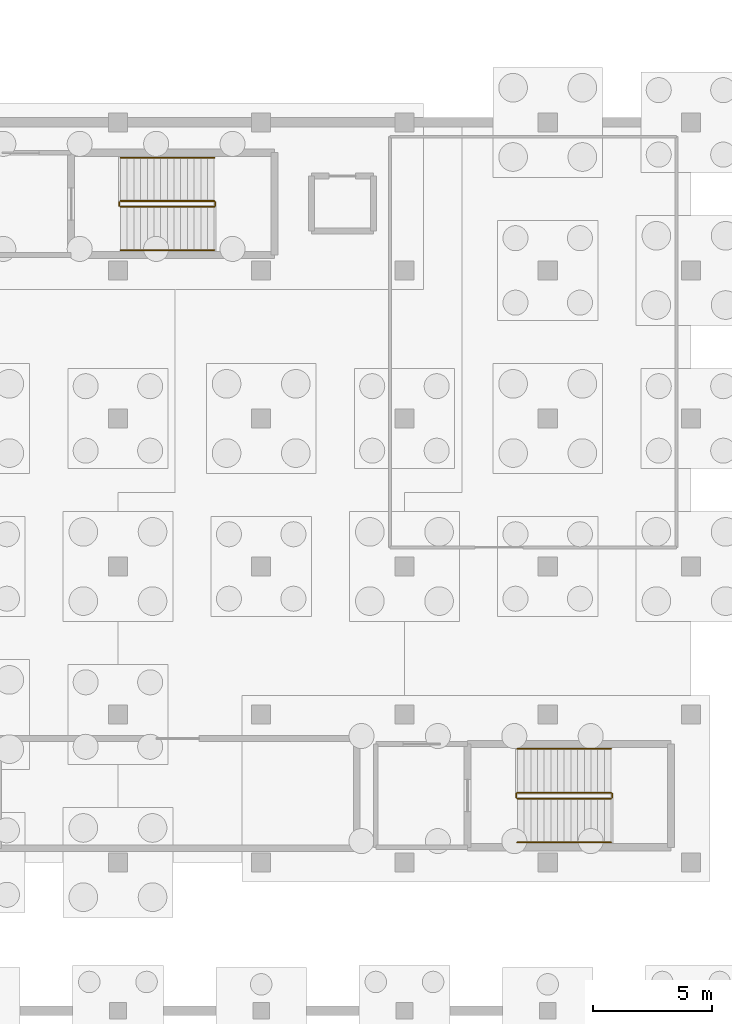
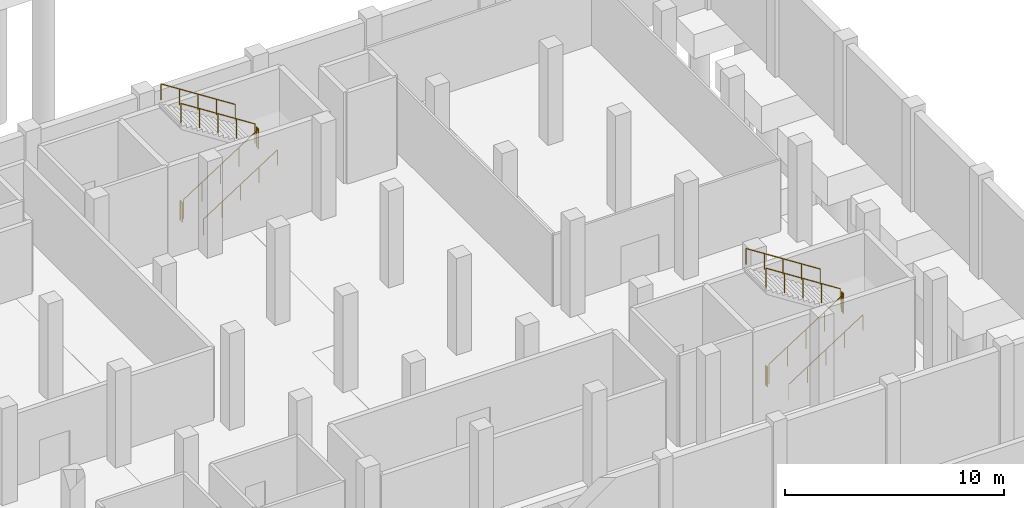
# One storey, part 19 of 19: 12 railings.
"""IFC4 building model written with IfcOpenShell, lengths in metres."""

from ifc_helpers import new_model, si_unit, direction, frame, origin, origin_2d, place, context, subcontext, project, spatial, circle, extrude, material, type_object, element, save


model = new_model("IFC4")

# Units and contexts
model_context = context("Model", 3, precision=1e-05, world=origin(), true_north=direction((0.0, 1.0)))
body_context = subcontext(model_context, "Body", "Model", "MODEL_VIEW")
ifc_project = project(units=[si_unit("LENGTHUNIT", "METRE"), si_unit("AREAUNIT", "SQUARE_METRE"), si_unit("VOLUMEUNIT", "CUBIC_METRE"), si_unit("PLANEANGLEUNIT", "RADIAN"), si_unit("MASSUNIT", "GRAM", prefix="KILO")], contexts=[model_context])

# Site, building, storey
site_placement = place(None, origin())
site = spatial("IfcSite", under=ifc_project, at=site_placement, CompositionType="ELEMENT")
building_placement = place(site_placement, origin())
building = spatial("IfcBuilding", under=site, at=building_placement, Name="Mirzam Square Science Centre", CompositionType="ELEMENT")
storey_placement = place(building_placement, frame((0.0, 0.0, -5.39990234375)))
storey = spatial("IfcBuildingStorey", under=building, at=storey_placement, Name="B01", CompositionType="ELEMENT", Elevation=-5.39990234375)

# Railings
ifc_material_1 = material(Name="Bronze-Anodised Architectural Balustrade", Category="aluminium")
railing_type_1 = type_object("IfcRailingType", Name="RL-INT-GUARD-1100", PredefinedType="GUARDRAIL", material=ifc_material_1)
railing_1_placement = place(storey_placement, frame((126.110107421875, 77.06005859375, 0.179931640625)))
element("IfcRailing", 1, at=railing_1_placement, inside=storey, type_object=railing_type_1, Name="B01 ST-04 stair guard 1", PredefinedType="GUARDRAIL", context=body_context, shape_type="SweptSolid", body=[
    extrude(circle(Radius=0.02392578125, at=origin_2d()), frame((0.0, 0.0, 1.076171875), z_axis=(0.841171666519, 0.0, 0.540768182723), x_axis=(0.0, 1.0, 0.0)), (0.0, 0.0, 1.0), 4.66015625),
    extrude(circle(Radius=0.02099609375, at=origin_2d()), origin(), (0.0, 0.0, 1.0), 1.052001953125),
    extrude(circle(Radius=0.02099609375, at=origin_2d()), frame((0.97998046875, 0.0, 0.6298828125)), (0.0, 0.0, 1.0), 1.052001953125),
    extrude(circle(Radius=0.02099609375, at=origin_2d()), frame((1.9599609375, 0.0, 1.260009765625)), (0.0, 0.0, 1.0), 1.052001953125),
    extrude(circle(Radius=0.02099609375, at=origin_2d()), frame((2.93994140625, 0.0, 1.89013671875)), (0.0, 0.0, 1.0), 1.052001953125),
    extrude(circle(Radius=0.02099609375, at=origin_2d()), frame((3.919921875, 0.0, 2.52001953125)), (0.0, 0.0, 1.0), 1.052001953125),
])
railing_2_placement = place(storey_placement, frame((130.080078125, 77.110107421875, 2.699951171875)))
element("IfcRailing", 2, at=railing_2_placement, inside=storey, type_object=railing_type_1, Name="B01 ST-04 stair guard 2", PredefinedType="GUARDRAIL", context=body_context, shape_type="SweptSolid", body=[
    extrude(circle(Radius=0.02392578125, at=origin_2d()), frame((0.0, 0.0, 1.076171875), z_axis=(0.0, 1.0, 0.0), x_axis=(-1.0, 0.0, 0.0)), (0.0, 0.0, 1.0), 0.14990234375),
    extrude(circle(Radius=0.02099609375, at=origin_2d()), origin(), (0.0, 0.0, 1.0), 1.052001953125),
    extrude(circle(Radius=0.02099609375, at=origin_2d()), frame((0.0, 0.14990234375, 0.0)), (0.0, 0.0, 1.0), 1.052001953125),
])
railing_3_placement = place(storey_placement, frame((130.030029296875, 77.31005859375, 2.8798828125)))
element("IfcRailing", 3, at=railing_3_placement, inside=storey, type_object=railing_type_1, Name="B01 ST-04 stair guard 3", PredefinedType="GUARDRAIL", context=body_context, shape_type="SweptSolid", body=[
    extrude(circle(Radius=0.02392578125, at=origin_2d()), frame((0.0, 0.0, 1.076171875), z_axis=(-0.841171666519, 0.0, 0.540768182723), x_axis=(0.0, -1.0, 0.0)), (0.0, 0.0, 1.0), 4.66015625),
    extrude(circle(Radius=0.02099609375, at=origin_2d()), origin(), (0.0, 0.0, 1.0), 1.052001953125),
    extrude(circle(Radius=0.02099609375, at=origin_2d()), frame((-0.97998046875, 0.0, 0.6298828125)), (0.0, 0.0, 1.0), 1.052001953125),
    extrude(circle(Radius=0.02099609375, at=origin_2d()), frame((-1.9599609375, 0.0, 1.260009765625)), (0.0, 0.0, 1.0), 1.052001953125),
    extrude(circle(Radius=0.02099609375, at=origin_2d()), frame((-2.93994140625, 0.0, 1.89013671875)), (0.0, 0.0, 1.0), 1.052001953125),
    extrude(circle(Radius=0.02099609375, at=origin_2d()), frame((-3.919921875, 0.0, 2.52001953125)), (0.0, 0.0, 1.0), 1.052001953125),
])
railing_4_placement = place(storey_placement, frame((126.06005859375, 77.110107421875, 0.0)))
element("IfcRailing", 4, at=railing_4_placement, inside=storey, type_object=railing_type_1, Name="B01 ST-04 stair guard 4", PredefinedType="GUARDRAIL", context=body_context, shape_type="SweptSolid", body=[
    extrude(circle(Radius=0.02392578125, at=origin_2d()), frame((0.0, 0.0, 1.076171875), z_axis=(0.0, 1.0, 0.0), x_axis=(-1.0, 0.0, 0.0)), (0.0, 0.0, 1.0), 0.14990234375),
    extrude(circle(Radius=0.02099609375, at=origin_2d()), origin(), (0.0, 0.0, 1.0), 1.052001953125),
    extrude(circle(Radius=0.02099609375, at=origin_2d()), frame((0.0, 0.14990234375, 0.0)), (0.0, 0.0, 1.0), 1.052001953125),
])
railing_5_placement = place(storey_placement, frame((142.72998046875, 52.280029296875, 0.179931640625)))
element("IfcRailing", 5, at=railing_5_placement, inside=storey, type_object=railing_type_1, Name="B01 ST-05 stair guard 1", PredefinedType="GUARDRAIL", context=body_context, shape_type="SweptSolid", body=[
    extrude(circle(Radius=0.02392578125, at=origin_2d()), frame((0.0, 0.0, 1.076171875), z_axis=(0.841171666519, 0.0, 0.540768182723), x_axis=(0.0, 1.0, 0.0)), (0.0, 0.0, 1.0), 4.66015625),
    extrude(circle(Radius=0.02099609375, at=origin_2d()), origin(), (0.0, 0.0, 1.0), 1.052001953125),
    extrude(circle(Radius=0.02099609375, at=origin_2d()), frame((0.97998046875, 0.0, 0.6298828125)), (0.0, 0.0, 1.0), 1.052001953125),
    extrude(circle(Radius=0.02099609375, at=origin_2d()), frame((1.9599609375, 0.0, 1.260009765625)), (0.0, 0.0, 1.0), 1.052001953125),
    extrude(circle(Radius=0.02099609375, at=origin_2d()), frame((2.93994140625, 0.0, 1.89013671875)), (0.0, 0.0, 1.0), 1.052001953125),
    extrude(circle(Radius=0.02099609375, at=origin_2d()), frame((3.919921875, 0.0, 2.52001953125)), (0.0, 0.0, 1.0), 1.052001953125),
])
railing_6_placement = place(storey_placement, frame((146.699951171875, 52.330078125, 2.699951171875)))
element("IfcRailing", 6, at=railing_6_placement, inside=storey, type_object=railing_type_1, Name="B01 ST-05 stair guard 2", PredefinedType="GUARDRAIL", context=body_context, shape_type="SweptSolid", body=[
    extrude(circle(Radius=0.02392578125, at=origin_2d()), frame((0.0, 0.0, 1.076171875), z_axis=(0.0, 1.0, 0.0), x_axis=(-1.0, 0.0, 0.0)), (0.0, 0.0, 1.0), 0.14990234375),
    extrude(circle(Radius=0.02099609375, at=origin_2d()), origin(), (0.0, 0.0, 1.0), 1.052001953125),
    extrude(circle(Radius=0.02099609375, at=origin_2d()), frame((0.0, 0.14990234375, 0.0)), (0.0, 0.0, 1.0), 1.052001953125),
])
railing_7_placement = place(storey_placement, frame((146.64990234375, 52.530029296875, 2.8798828125)))
element("IfcRailing", 7, at=railing_7_placement, inside=storey, type_object=railing_type_1, Name="B01 ST-05 stair guard 3", PredefinedType="GUARDRAIL", context=body_context, shape_type="SweptSolid", body=[
    extrude(circle(Radius=0.02392578125, at=origin_2d()), frame((0.0, 0.0, 1.076171875), z_axis=(-0.841171666519, 0.0, 0.540768182723), x_axis=(0.0, -1.0, 0.0)), (0.0, 0.0, 1.0), 4.66015625),
    extrude(circle(Radius=0.02099609375, at=origin_2d()), origin(), (0.0, 0.0, 1.0), 1.052001953125),
    extrude(circle(Radius=0.02099609375, at=origin_2d()), frame((-0.97998046875, 0.0, 0.6298828125)), (0.0, 0.0, 1.0), 1.052001953125),
    extrude(circle(Radius=0.02099609375, at=origin_2d()), frame((-1.9599609375, 0.0, 1.260009765625)), (0.0, 0.0, 1.0), 1.052001953125),
    extrude(circle(Radius=0.02099609375, at=origin_2d()), frame((-2.93994140625, 0.0, 1.89013671875)), (0.0, 0.0, 1.0), 1.052001953125),
    extrude(circle(Radius=0.02099609375, at=origin_2d()), frame((-3.919921875, 0.0, 2.52001953125)), (0.0, 0.0, 1.0), 1.052001953125),
])
railing_8_placement = place(storey_placement, frame((142.679931640625, 52.330078125, 0.0)))
element("IfcRailing", 8, at=railing_8_placement, inside=storey, type_object=railing_type_1, Name="B01 ST-05 stair guard 4", PredefinedType="GUARDRAIL", context=body_context, shape_type="SweptSolid", body=[
    extrude(circle(Radius=0.02392578125, at=origin_2d()), frame((0.0, 0.0, 1.076171875), z_axis=(0.0, 1.0, 0.0), x_axis=(-1.0, 0.0, 0.0)), (0.0, 0.0, 1.0), 0.14990234375),
    extrude(circle(Radius=0.02099609375, at=origin_2d()), origin(), (0.0, 0.0, 1.0), 1.052001953125),
    extrude(circle(Radius=0.02099609375, at=origin_2d()), frame((0.0, 0.14990234375, 0.0)), (0.0, 0.0, 1.0), 1.052001953125),
])
ifc_material_2 = material(Name="Brushed Bronze Tubular Handrail", Category="aluminium")
railing_type_2 = type_object("IfcRailingType", Name="RL-STAIR-HANDRAIL-900", PredefinedType="HANDRAIL", material=ifc_material_2)
railing_9_placement = place(storey_placement, frame((126.110107421875, 75.25, 0.371826171875)))
element("IfcRailing", 9, at=railing_9_placement, inside=storey, type_object=railing_type_2, Name="B01 ST-04 stair handrail 1", PredefinedType="HANDRAIL", context=body_context, shape_type="SweptSolid", body=[
    extrude(circle(Radius=0.02392578125, at=origin_2d()), frame((0.0, 0.0, 0.8759765625), z_axis=(0.841171666519, 0.0, 0.540768182723), x_axis=(0.0, 1.0, 0.0)), (0.0, 0.0, 1.0), 4.66015625),
    extrude(circle(Radius=0.02099609375, at=origin_2d()), origin(), (0.0, 0.0, 1.0), 0.851806640625),
    extrude(circle(Radius=0.02099609375, at=origin_2d()), frame((0.97998046875, 0.0, 0.6298828125)), (0.0, 0.0, 1.0), 0.851806640625),
    extrude(circle(Radius=0.02099609375, at=origin_2d()), frame((1.9599609375, 0.0, 1.260009765625)), (0.0, 0.0, 1.0), 0.851806640625),
    extrude(circle(Radius=0.02099609375, at=origin_2d()), frame((2.93994140625, 0.0, 1.89013671875)), (0.0, 0.0, 1.0), 0.851806640625),
    extrude(circle(Radius=0.02099609375, at=origin_2d()), frame((3.919921875, 0.0, 2.52001953125)), (0.0, 0.0, 1.0), 0.851806640625),
])
railing_10_placement = place(storey_placement, frame((130.030029296875, 79.1201171875, 3.072021484375)))
element("IfcRailing", 10, at=railing_10_placement, inside=storey, type_object=railing_type_2, Name="B01 ST-04 stair handrail 2", PredefinedType="HANDRAIL", context=body_context, shape_type="SweptSolid", body=[
    extrude(circle(Radius=0.02392578125, at=origin_2d()), frame((0.0, 0.0, 0.8759765625), z_axis=(-0.84119549742, 0.0, 0.540731111663), x_axis=(0.0, -1.0, 0.0)), (0.0, 0.0, 1.0), 4.659912109375),
    extrude(circle(Radius=0.02099609375, at=origin_2d()), origin(), (0.0, 0.0, 1.0), 0.851806640625),
    extrude(circle(Radius=0.02099609375, at=origin_2d()), frame((-0.97998046875, 0.0, 0.6298828125)), (0.0, 0.0, 1.0), 0.851806640625),
    extrude(circle(Radius=0.02099609375, at=origin_2d()), frame((-1.9599609375, 0.0, 1.259765625)), (0.0, 0.0, 1.0), 0.851806640625),
    extrude(circle(Radius=0.02099609375, at=origin_2d()), frame((-2.93994140625, 0.0, 1.889892578125)), (0.0, 0.0, 1.0), 0.851806640625),
    extrude(circle(Radius=0.02099609375, at=origin_2d()), frame((-3.919921875, 0.0, 2.519775390625)), (0.0, 0.0, 1.0), 0.851806640625),
])
railing_11_placement = place(storey_placement, frame((142.72998046875, 50.449951171875, 0.371826171875)))
element("IfcRailing", 11, at=railing_11_placement, inside=storey, type_object=railing_type_2, Name="B01 ST-05 stair handrail 1", PredefinedType="HANDRAIL", context=body_context, shape_type="SweptSolid", body=[
    extrude(circle(Radius=0.02392578125, at=origin_2d()), frame((0.0, 0.0, 0.8759765625), z_axis=(0.841171666519, 0.0, 0.540768182723), x_axis=(0.0, 1.0, 0.0)), (0.0, 0.0, 1.0), 4.66015625),
    extrude(circle(Radius=0.02099609375, at=origin_2d()), origin(), (0.0, 0.0, 1.0), 0.851806640625),
    extrude(circle(Radius=0.02099609375, at=origin_2d()), frame((0.97998046875, 0.0, 0.6298828125)), (0.0, 0.0, 1.0), 0.851806640625),
    extrude(circle(Radius=0.02099609375, at=origin_2d()), frame((1.9599609375, 0.0, 1.260009765625)), (0.0, 0.0, 1.0), 0.851806640625),
    extrude(circle(Radius=0.02099609375, at=origin_2d()), frame((2.93994140625, 0.0, 1.89013671875)), (0.0, 0.0, 1.0), 0.851806640625),
    extrude(circle(Radius=0.02099609375, at=origin_2d()), frame((3.919921875, 0.0, 2.52001953125)), (0.0, 0.0, 1.0), 0.851806640625),
])
railing_12_placement = place(storey_placement, frame((146.64990234375, 54.360107421875, 3.072021484375)))
element("IfcRailing", 12, at=railing_12_placement, inside=storey, type_object=railing_type_2, Name="B01 ST-05 stair handrail 2", PredefinedType="HANDRAIL", context=body_context, shape_type="SweptSolid", body=[
    extrude(circle(Radius=0.02392578125, at=origin_2d()), frame((0.0, 0.0, 0.8759765625), z_axis=(-0.84119549742, 0.0, 0.540731111663), x_axis=(0.0, -1.0, 0.0)), (0.0, 0.0, 1.0), 4.659912109375),
    extrude(circle(Radius=0.02099609375, at=origin_2d()), origin(), (0.0, 0.0, 1.0), 0.851806640625),
    extrude(circle(Radius=0.02099609375, at=origin_2d()), frame((-0.97998046875, 0.0, 0.6298828125)), (0.0, 0.0, 1.0), 0.851806640625),
    extrude(circle(Radius=0.02099609375, at=origin_2d()), frame((-1.9599609375, 0.0, 1.259765625)), (0.0, 0.0, 1.0), 0.851806640625),
    extrude(circle(Radius=0.02099609375, at=origin_2d()), frame((-2.93994140625, 0.0, 1.889892578125)), (0.0, 0.0, 1.0), 0.851806640625),
    extrude(circle(Radius=0.02099609375, at=origin_2d()), frame((-3.919921875, 0.0, 2.519775390625)), (0.0, 0.0, 1.0), 0.851806640625),
])

save(model, "model.ifc")
